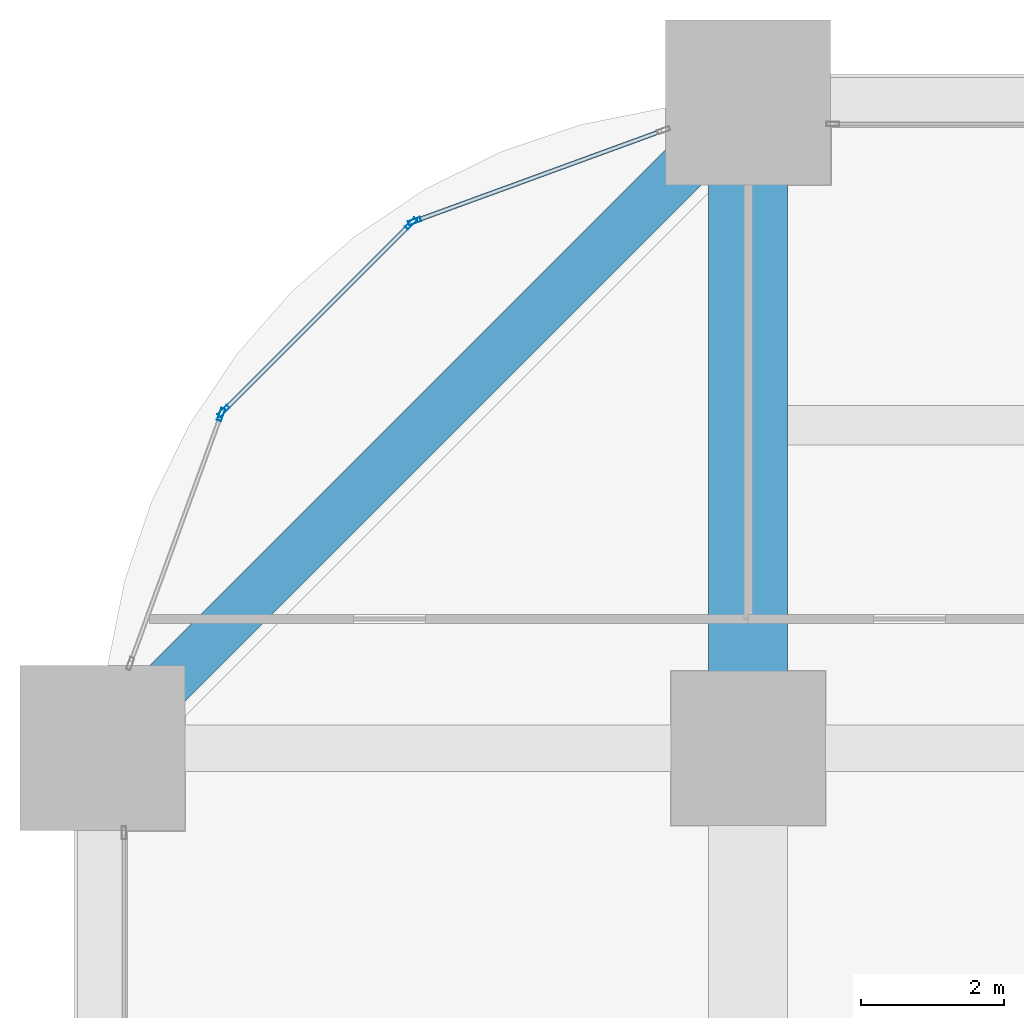
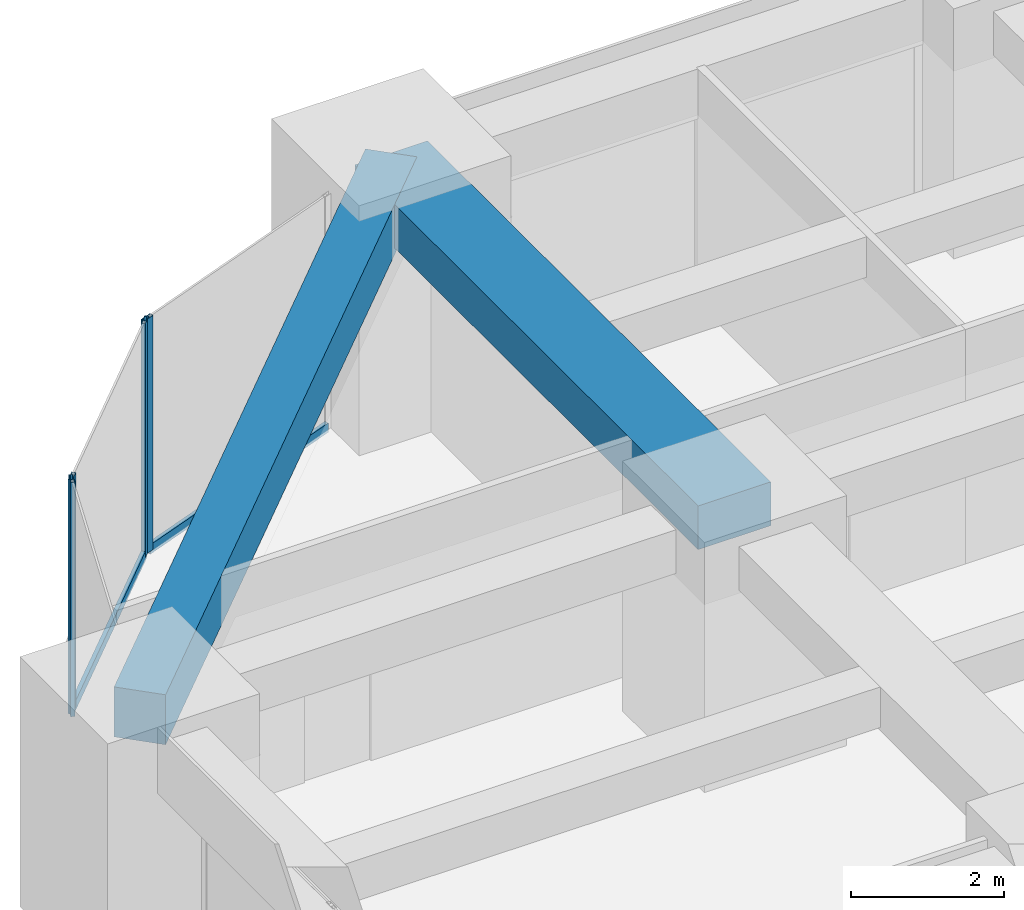
# One storey, part 27 of 44: 6 members, 2 beams, 3 elements without a shape of their own.
"""IFC4 building model written with IfcOpenShell, lengths in metres."""

import ifcopenshell
import ifcopenshell.guid

model = None  # the IFC model being written
_history = None  # IfcOwnerHistory: only IFC2X3 demands one
_inside = {}  # id of a spatial element -> (the spatial element, [elements in it])
_under = {}  # id of a project, library or spatial element -> (it, [spatial elements below it])
_declared = {}  # id of a project -> (the project, [libraries it declares])
_typed = {}  # id of a type object -> (the type object, [elements of that type])
_made_of = {}  # id of a material, layer set ... -> (it, [elements and type objects made of it])


def new_model(schema):
    """Start an empty IFC model of exactly this schema.

    Asked for "IFC4X3", IfcOpenShell would pick the latest addendum, in which some entities
    have other attributes; the version numbers below select the first issue.
    IFC2X3 requires an IfcOwnerHistory on every rooted entity: one is made here for all.
    """
    global model, _history
    if schema == "IFC4X3":
        model = ifcopenshell.file(schema_version=(4, 3, 0, 0))
    else:
        model = ifcopenshell.file(schema=schema)
    _inside.clear()
    _under.clear()
    _declared.clear()
    _typed.clear()
    _made_of.clear()
    _history = None
    if model.schema == "IFC2X3":
        org = make("IfcOrganization", Name="unknown")
        user = make(
            "IfcPersonAndOrganization",
            ThePerson=make("IfcPerson", FamilyName="unknown"),
            TheOrganization=org,
        )
        app = make(
            "IfcApplication",
            ApplicationDeveloper=org,
            Version="unknown",
            ApplicationFullName="unknown",
            ApplicationIdentifier="unknown",
        )
        _history = make(
            "IfcOwnerHistory",
            OwningUser=user,
            OwningApplication=app,
            ChangeAction="ADDED",
            CreationDate=0,
        )
    return model


def make(cls, **values):
    """One entity of the class cls with the attributes given. An attribute that is None is left unset."""
    return model.create_entity(
        cls, **{name: value for name, value in values.items() if value is not None}
    )


def rooted(cls, **values):
    """An entity with a GlobalId (a new one), such as an element, a storey or a relation."""
    return make(cls, GlobalId=ifcopenshell.guid.new(), OwnerHistory=_history, **values)


def si_unit(unit_type, name, prefix=None):
    """IfcSIUnit, for example si_unit("LENGTHUNIT", "METRE", prefix="MILLI")."""
    return make("IfcSIUnit", UnitType=unit_type, Prefix=prefix, Name=name)


def assignment(units):
    """IfcUnitAssignment: the units of a project."""
    return None if units is None else make("IfcUnitAssignment", Units=units)


def point(xyz):
    """IfcCartesianPoint."""
    return None if xyz is None else make("IfcCartesianPoint", Coordinates=xyz)


def direction(xyz):
    """IfcDirection."""
    return None if xyz is None else make("IfcDirection", DirectionRatios=xyz)


def frame(location, z_axis=None, x_axis=None):
    """IfcAxis2Placement3D, a coordinate frame: its origin and axes. An axis left out is left unset."""
    return make(
        "IfcAxis2Placement3D",
        Location=point(location),
        Axis=direction(z_axis),
        RefDirection=direction(x_axis),
    )


def frame_2d(location, x_axis=None):
    """IfcAxis2Placement2D, a coordinate frame in the plane: its origin and x axis."""
    return make(
        "IfcAxis2Placement2D", Location=point(location), RefDirection=direction(x_axis)
    )


def origin():
    """The frame at (0, 0, 0) with its axes left unset."""
    return frame((0.0, 0.0, 0.0))


def origin_2d():
    """The frame at (0, 0) in the plane with its x axis left unset."""
    return frame_2d((0.0, 0.0))


def place(relative_to, where):
    """IfcLocalPlacement: puts the frame where relative to a parent placement (None: the world)."""
    return make(
        "IfcLocalPlacement", PlacementRelTo=relative_to, RelativePlacement=where
    )


def context(
    kind, dimensions, precision=None, world=None, true_north=None, identifier=None
):
    """IfcGeometricRepresentationContext, for example the 3D "Model" context."""
    return make(
        "IfcGeometricRepresentationContext",
        ContextIdentifier=identifier,
        ContextType=kind,
        CoordinateSpaceDimension=dimensions,
        Precision=precision,
        WorldCoordinateSystem=world,
        TrueNorth=true_north,
    )


def subcontext(parent, identifier, kind, view, scale=None):
    """IfcGeometricRepresentationSubContext, for example "Body" below "Model"."""
    return make(
        "IfcGeometricRepresentationSubContext",
        ContextIdentifier=identifier,
        ContextType=kind,
        ParentContext=parent,
        TargetScale=scale,
        TargetView=view,
    )


def project(units=None, contexts=None):
    """IfcProject with its units and contexts."""
    return rooted(
        "IfcProject",
        Name="project",
        RepresentationContexts=contexts,
        UnitsInContext=assignment(units),
    )


def spatial(cls, under=None, at=None, **own):
    """A site, building, storey or space (cls), placed at a placement, below another one or the project."""
    s = rooted(cls, ObjectPlacement=at, **own)
    if under is not None:
        _under.setdefault(under.id(), (under, []))[1].append(s)
    return s


def profile(cls, at=None, kind="AREA", **sizes):
    """A parametric profile (cls). Its sizes go by their IFC names, for example OverallWidth=200.0."""
    return make(cls, ProfileType=kind, Position=at, **sizes)


def rectangle(**sizes):
    """IfcRectangleProfileDef."""
    return profile("IfcRectangleProfileDef", **sizes)


def hollow_rectangle(**sizes):
    """IfcRectangleHollowProfileDef."""
    return profile("IfcRectangleHollowProfileDef", **sizes)


def extrude(swept, where, along, depth):
    """IfcExtrudedAreaSolid: the profile swept, set in the frame where, extruded along a direction by depth."""
    return make(
        "IfcExtrudedAreaSolid",
        SweptArea=swept,
        Position=where,
        ExtrudedDirection=direction(along),
        Depth=depth,
    )


def shape(context_of_items, identifier, shape_type, items):
    """IfcShapeRepresentation: the items that make up one representation, for example the "Body"."""
    return make(
        "IfcShapeRepresentation",
        ContextOfItems=context_of_items,
        RepresentationIdentifier=identifier,
        RepresentationType=shape_type,
        Items=items,
    )


def material(Name=None, Category=None):
    """IfcMaterial."""
    return make("IfcMaterial", Name=Name, Category=Category)


def material_profile(
    of_material, cross_section, Name=None, Category=None, Priority=None
):
    """IfcMaterialProfile: a cross section and its material."""
    return make(
        "IfcMaterialProfile",
        Name=Name,
        Material=of_material,
        Profile=cross_section,
        Priority=Priority,
        Category=Category,
    )


def profile_set(profiles, Name=None, composite=None):
    """IfcMaterialProfileSet."""
    return make(
        "IfcMaterialProfileSet",
        Name=Name,
        MaterialProfiles=profiles,
        CompositeProfile=composite,
    )


def made_of(thing, what):
    """Note that an element or type object is made of a material, layer set ...; save() writes the relation."""
    if what is not None:
        _made_of.setdefault(what.id(), (what, []))[1].append(thing)
    return thing


def type_object(cls, material=None, **own):
    """A type object (cls), such as IfcWallType, which elements share."""
    return made_of(rooted(cls, **own), material)


def element(
    cls,
    number,
    at=None,
    inside=None,
    cuts=None,
    type_object=None,
    material=None,
    context=None,
    identifier="Body",
    shape_type=None,
    held_by="IfcProductDefinitionShape",
    body=None,
    shapes=None,
    **own,
):
    """One element of the class cls, such as IfcWall. Its Tag is "e" and its number.

    at: its placement. inside: the storey or other place that contains it. cuts: it is an
    opening in that element (IfcRelVoidsElement). A single representation is given by context,
    identifier, shape_type and body (its items); several are given by shapes. held_by: the class
    of the entity that holds the representations. save() writes the other relations.
    """
    e = rooted(cls, Tag="e%d" % number, ObjectPlacement=at, **own)
    if body is not None:
        shapes = [shape(context, identifier, shape_type, body)]
    if shapes is not None:
        e.Representation = make(held_by, Representations=shapes)
    if inside is not None:
        _inside.setdefault(inside.id(), (inside, []))[1].append(e)
    if cuts is not None:
        rooted(
            "IfcRelVoidsElement", RelatingBuildingElement=cuts, RelatedOpeningElement=e
        )
    if type_object is not None:
        _typed.setdefault(type_object.id(), (type_object, []))[1].append(e)
    return made_of(e, material)


def aggregate(whole, parts):
    """IfcRelAggregates: a whole, such as a stair, and the parts it consists of."""
    return rooted("IfcRelAggregates", RelatingObject=whole, RelatedObjects=parts)


def save(model, path):
    """Write the relations noted so far, then the file.

    IfcRelAggregates (storeys below a building ...), IfcRelContainedInSpatialStructure (elements
    in a storey), IfcRelDefinesByType, IfcRelAssociatesMaterial and IfcRelDeclares: one each for
    every whole, place, type object, material and project.
    """
    for whole, parts in _under.values():
        aggregate(whole, parts)
    for where, things in _inside.values():
        rooted(
            "IfcRelContainedInSpatialStructure",
            RelatedElements=things,
            RelatingStructure=where,
        )
    for kind, things in _typed.values():
        rooted("IfcRelDefinesByType", RelatedObjects=things, RelatingType=kind)
    for what, things in _made_of.values():
        rooted("IfcRelAssociatesMaterial", RelatedObjects=things, RelatingMaterial=what)
    for by, libraries in _declared.values():
        rooted("IfcRelDeclares", RelatingContext=by, RelatedDefinitions=libraries)
    model.write(path)


model = new_model("IFC4")

# Units and contexts
model_context = context("Model", 3, precision=1e-05, world=origin(), true_north=direction((0.0, 1.0)))
body_context = subcontext(model_context, "Body", "Model", "MODEL_VIEW")
ifc_project = project(units=[si_unit("LENGTHUNIT", "METRE"), si_unit("AREAUNIT", "SQUARE_METRE"), si_unit("VOLUMEUNIT", "CUBIC_METRE"), si_unit("PLANEANGLEUNIT", "RADIAN"), si_unit("MASSUNIT", "GRAM", prefix="KILO")], contexts=[model_context])

# Site, building, storey
site_placement = place(None, origin())
site = spatial("IfcSite", under=ifc_project, at=site_placement, CompositionType="ELEMENT")
building_placement = place(site_placement, origin())
building = spatial("IfcBuilding", under=site, at=building_placement, Name="Zorevar Civic Tower", CompositionType="ELEMENT")
storey_placement = place(building_placement, frame((0.0, 0.0, 59.800048828125)))
storey = spatial("IfcBuildingStorey", under=building, at=storey_placement, Name="L14", CompositionType="ELEMENT", Elevation=59.800048828125)

# Beam
ifc_material_1 = material(Name="Concrete C50/60", Category="concrete")
ifc_material_profile_1 = material_profile(ifc_material_1, rectangle(XDim=1.10009765625, YDim=0.699951171875, at=origin_2d()), Name="RC 1100x700")
ifc_profile_set_1 = profile_set([ifc_material_profile_1], Name="Concrete C50/60")
beam_type_1 = type_object("IfcBeamType", Name="Beam RC 1100x700", PredefinedType="BEAM", material=ifc_profile_set_1)
beam_1_placement = place(storey_placement, frame((9.0, 45.0, 3.39990234375), z_axis=(0.0, 1.0, 0.0), x_axis=(-1.0, 0.0, 0.0)))
element("IfcBeam", 1, at=beam_1_placement, inside=storey, type_object=beam_type_1, Name="Girder L15", PredefinedType="BEAM", context=body_context, shape_type="SweptSolid", body=[
    extrude(rectangle(XDim=1.10009765625, YDim=0.699951171875, at=origin_2d()), origin(), (0.0, 0.0, 1.0), 9.0),
])

# Curtain wall, member
ifc_material_2 = material(Name="Dark grey solar-control glass in black aluminium frame", Category="aluminium")
curtain_wall_type = type_object("IfcCurtainWallType", Name="Curtain wall CW2 low zone", PredefinedType="NOTDEFINED", material=ifc_material_2)
curtain_wall_1_placement = place(storey_placement, origin())
curtain_wall_1 = element("IfcCurtainWall", 2, at=curtain_wall_1_placement, inside=storey, type_object=curtain_wall_type, Name="CW2 L14", PredefinedType="NOTDEFINED")
ifc_material_3 = material(Name="Aluminium, black anodised", Category="aluminium")
ifc_material_profile_2 = material_profile(ifc_material_3, hollow_rectangle(XDim=0.06005859375, YDim=0.179931640625, WallThickness=0.00390625, at=origin_2d()), Name="AL 180x60x4")
ifc_profile_set_2 = profile_set([ifc_material_profile_2], Name="Aluminium, black anodised")
member_type_1 = type_object("IfcMemberType", Name="CW2 mullion AL 180x60x4", PredefinedType="MULLION", material=ifc_profile_set_2)
member_1_placement = place(storey_placement, frame((4.349609375, 52.34521484375, 0.0), z_axis=(0.0, 0.0, 1.0), x_axis=(0.343060400701, -0.939313345732, 0.0)))
member_1 = element("IfcMember", 3, at=member_1_placement, type_object=member_type_1, Name="CW2 mullion 2", PredefinedType="MULLION", context=body_context, shape_type="SweptSolid", body=[
    extrude(hollow_rectangle(XDim=0.06005859375, YDim=0.179931640625, WallThickness=0.00390625, at=origin_2d()), origin(), (0.0, 0.0, 1.0), 3.75),
])

# Curtain wall, members
curtain_wall_2_placement = place(storey_placement, origin())
curtain_wall_2 = element("IfcCurtainWall", 4, at=curtain_wall_2_placement, inside=storey, type_object=curtain_wall_type, Name="CW2 L14", PredefinedType="NOTDEFINED")
member_2_placement = place(storey_placement, frame((4.30029296875, 52.313720703125, 0.0), z_axis=(0.0, 0.0, 1.0), x_axis=(0.707106781187, -0.707106781187, 0.0)))
member_2 = element("IfcMember", 5, at=member_2_placement, type_object=member_type_1, Name="CW2 mullion 1", PredefinedType="MULLION", context=body_context, shape_type="SweptSolid", body=[
    extrude(hollow_rectangle(XDim=0.06005859375, YDim=0.179931640625, WallThickness=0.00390625, at=origin_2d()), origin(), (0.0, 0.0, 1.0), 3.75),
])
member_3_placement = place(storey_placement, frame((1.686279296875, 49.69970703125, 0.0), z_axis=(0.0, 0.0, 1.0), x_axis=(0.707106781187, -0.707106781187, 0.0)))
member_3 = element("IfcMember", 6, at=member_3_placement, type_object=member_type_1, Name="CW2 mullion 2", PredefinedType="MULLION", context=body_context, shape_type="SweptSolid", body=[
    extrude(hollow_rectangle(XDim=0.06005859375, YDim=0.179931640625, WallThickness=0.00390625, at=origin_2d()), origin(), (0.0, 0.0, 1.0), 3.75),
])

# Curtain wall, member
curtain_wall_3_placement = place(storey_placement, origin())
curtain_wall_3 = element("IfcCurtainWall", 7, at=curtain_wall_3_placement, inside=storey, type_object=curtain_wall_type, Name="CW2 L14", PredefinedType="NOTDEFINED")
member_4_placement = place(storey_placement, frame((1.65478515625, 49.650390625, 0.0), z_axis=(0.0, 0.0, 1.0), x_axis=(0.939313345732, -0.343060400701, 0.0)))
member_4 = element("IfcMember", 8, at=member_4_placement, type_object=member_type_1, Name="CW2 mullion 1", PredefinedType="MULLION", context=body_context, shape_type="SweptSolid", body=[
    extrude(hollow_rectangle(XDim=0.06005859375, YDim=0.179931640625, WallThickness=0.00390625, at=origin_2d()), origin(), (0.0, 0.0, 1.0), 3.75),
])
aggregate(curtain_wall_3, [member_4])

# Member
ifc_material_4 = material(Name="Aluminium, black anodised", Category="aluminium")
ifc_material_profile_3 = material_profile(ifc_material_4, hollow_rectangle(XDim=0.06005859375, YDim=0.14990234375, WallThickness=0.00390625, at=origin_2d()), Name="AL 150x60x4")
ifc_profile_set_3 = profile_set([ifc_material_profile_3], Name="Aluminium, black anodised")
member_type_2 = type_object("IfcMemberType", Name="CW2 transom AL 150x60x4", PredefinedType="USERDEFINED", material=ifc_profile_set_3)
member_5_placement = place(storey_placement, frame((7.793701171875, 53.60302734375, 0.030029296875), z_axis=(-0.939318180432, -0.343047162808, 0.0), x_axis=(0.343047162808, -0.939318180432, 0.0)))
member_5 = element("IfcMember", 9, at=member_5_placement, type_object=member_type_2, Name="CW2 sill transom", ObjectType="TRANSOM", PredefinedType="USERDEFINED", context=body_context, shape_type="SweptSolid", body=[
    extrude(hollow_rectangle(XDim=0.06005859375, YDim=0.14990234375, WallThickness=0.00390625, at=origin_2d()), origin(), (0.0, 0.0, 1.0), 3.63671875),
])

aggregate(curtain_wall_1, [member_1, member_5])

member_6_placement = place(storey_placement, frame((4.279052734375, 52.29248046875, 0.030029296875), z_axis=(-0.707106781187, -0.707106781187, 0.0), x_axis=(0.707106781187, -0.707106781187, 0.0)))
member_6 = element("IfcMember", 10, at=member_6_placement, type_object=member_type_2, Name="CW2 sill transom", ObjectType="TRANSOM", PredefinedType="USERDEFINED", context=body_context, shape_type="SweptSolid", body=[
    extrude(hollow_rectangle(XDim=0.06005859375, YDim=0.14990234375, WallThickness=0.00390625, at=origin_2d()), origin(), (0.0, 0.0, 1.0), 3.63671875),
])

aggregate(curtain_wall_2, [member_2, member_3, member_6])

# Beam
ifc_material_5 = material(Name="Concrete C50/60", Category="concrete")
ifc_material_profile_4 = material_profile(ifc_material_5, rectangle(XDim=0.699951171875, YDim=0.800048828125, at=origin_2d()), Name="RC 700x800")
ifc_profile_set_4 = profile_set([ifc_material_profile_4], Name="Concrete C50/60")
beam_type_2 = type_object("IfcBeamType", Name="Edge beam RC 700x800", PredefinedType="SPANDREL", material=ifc_profile_set_4)
beam_2_placement = place(storey_placement, frame((9.0, 54.0, 3.349853515625), z_axis=(-0.707106781187, -0.707106781187, 0.0), x_axis=(0.707106781187, -0.707106781187, 0.0)))
element("IfcBeam", 11, at=beam_2_placement, inside=storey, type_object=beam_type_2, Name="Corner edge beam L15", PredefinedType="SPANDREL", context=body_context, shape_type="SweptSolid", body=[
    extrude(rectangle(XDim=0.699951171875, YDim=0.800048828125, at=origin_2d()), origin(), (0.0, 0.0, 1.0), 12.72802734375),
])

save(model, "model.ifc")
